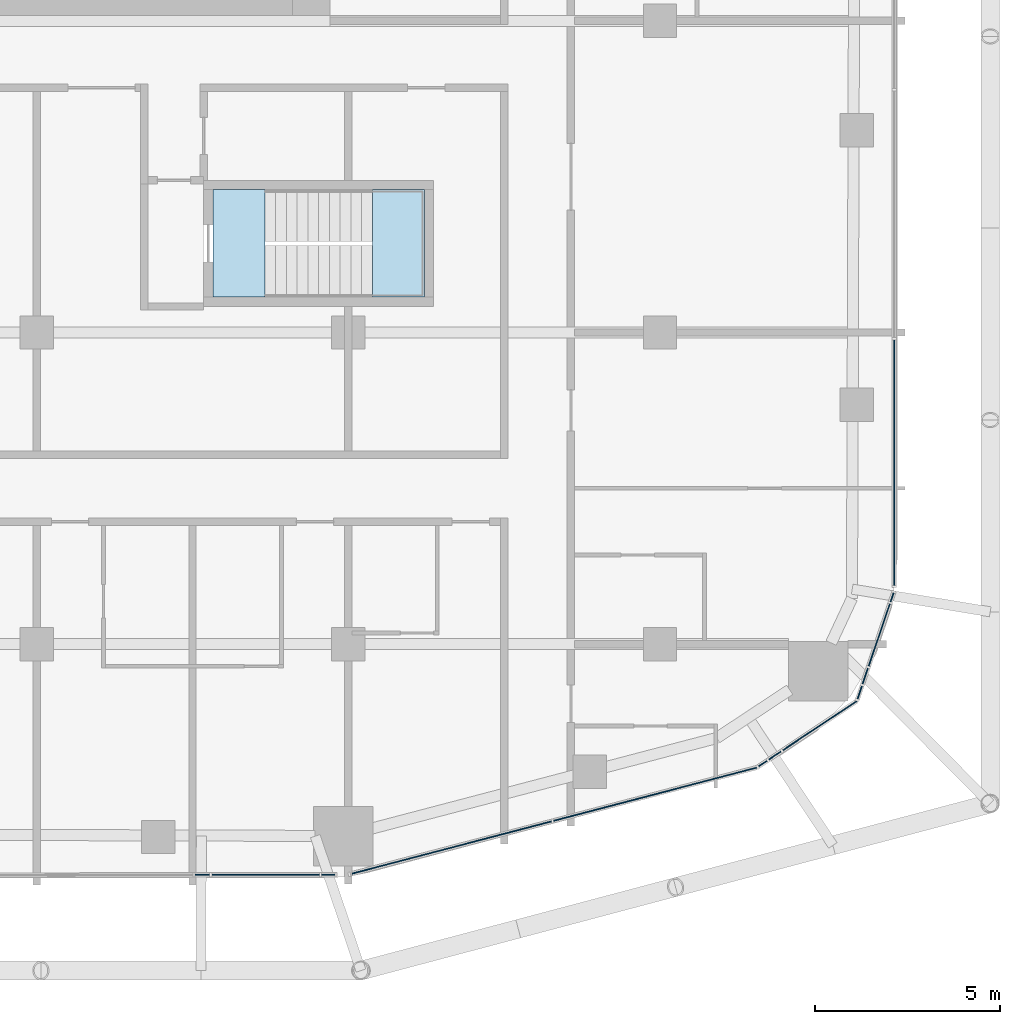
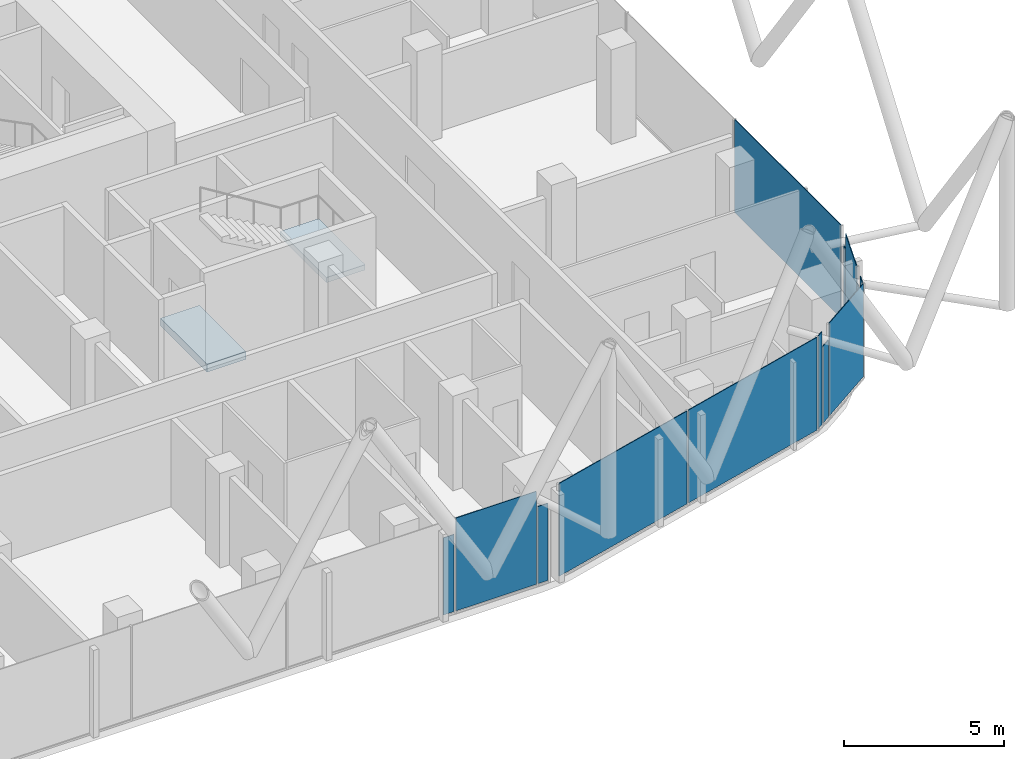
# One storey, part 22 of 36: 13 plates, 2 slabs, 13 elements without a shape of their own.
"""IFC4 building model written with IfcOpenShell, lengths in metres."""

from ifc_helpers import new_model, si_unit, direction, frame, origin, origin_2d, place, context, subcontext, project, spatial, polyline, rectangle, outline, extrude, material, layer, layer_set, type_object, element, aggregate, save


model = new_model("IFC4")

# Units and contexts
model_context = context("Model", 3, precision=1e-05, world=origin(), true_north=direction((0.0, 1.0)))
body_context = subcontext(model_context, "Body", "Model", "MODEL_VIEW")
ifc_project = project(units=[si_unit("LENGTHUNIT", "METRE"), si_unit("AREAUNIT", "SQUARE_METRE"), si_unit("VOLUMEUNIT", "CUBIC_METRE"), si_unit("PLANEANGLEUNIT", "RADIAN"), si_unit("MASSUNIT", "GRAM", prefix="KILO")], contexts=[model_context])

# Site, building, storey
site_placement = place(None, origin())
site = spatial("IfcSite", under=ifc_project, at=site_placement, CompositionType="ELEMENT")
building_placement = place(site_placement, origin())
building = spatial("IfcBuilding", under=site, at=building_placement, Name="Marenta Gate Hotel Tower", CompositionType="ELEMENT")
storey_placement = place(building_placement, frame((0.0, 0.0, 115.699951171875)))
storey = spatial("IfcBuildingStorey", under=building, at=storey_placement, Name="L25", CompositionType="ELEMENT", Elevation=115.699951171875)

# Curtain wall, plate
ifc_material_1 = material(Name="Tinted insulated glass in bronze anodised frame", Category="glass")
ifc_layer_1 = layer(ifc_material_1, 0.1201171875)
ifc_layer_set_1 = layer_set([ifc_layer_1], Name="Tinted insulated glass in bronze anodised frame")
curtain_wall_type = type_object("IfcCurtainWallType", Name="Tower unitised curtain wall CW1", PredefinedType="NOTDEFINED", material=ifc_layer_set_1)
curtain_wall_1_placement = place(storey_placement, origin())
curtain_wall_1 = element("IfcCurtainWall", 1, at=curtain_wall_1_placement, inside=storey, type_object=curtain_wall_type, Name="CW1 run G22", PredefinedType="NOTDEFINED")
ifc_material_2 = material(Name="Tinted insulated glass", Category="glass")
ifc_layer_2 = layer(ifc_material_2, 0.028076171875)
ifc_layer_set_2 = layer_set([ifc_layer_2], Name="Tinted insulated glass")
plate_type = type_object("IfcPlateType", Name="Glass panel CW1 28 mm tinted insulated unit", PredefinedType="CURTAIN_PANEL", material=ifc_layer_set_2)
plate_1_placement = place(storey_placement, frame((8.664306640625, -23.018798828125, 0.06005859375), z_axis=(0.0, 0.0, 1.0), x_axis=(0.999999122847, 0.001324502144, 0.0)))
plate_1 = element("IfcPlate", 2, at=plate_1_placement, type_object=plate_type, Name="CW1 panel 1.1", PredefinedType="CURTAIN_PANEL", context=body_context, shape_type="SweptSolid", body=[
    extrude(rectangle(XDim=0.39306640625, YDim=0.028076171875, at=origin_2d()), origin(), (0.0, 0.0, 1.0), 2.9404296875),
])
aggregate(curtain_wall_1, [plate_1])

curtain_wall_2_placement = place(storey_placement, origin())
curtain_wall_2 = element("IfcCurtainWall", 3, at=curtain_wall_2_placement, inside=storey, type_object=curtain_wall_type, Name="CW1 run G23", PredefinedType="NOTDEFINED")
plate_2_placement = place(storey_placement, frame((10.37109375, -23.016357421875, 0.06005859375), z_axis=(0.0, 0.0, 1.0), x_axis=(0.999999041285, 0.001384712772, 0.0)))
plate_2 = element("IfcPlate", 4, at=plate_2_placement, type_object=plate_type, Name="CW1 panel 1.1", PredefinedType="CURTAIN_PANEL", context=body_context, shape_type="SweptSolid", body=[
    extrude(rectangle(XDim=2.90087890625, YDim=0.028076171875, at=origin_2d()), origin(), (0.0, 0.0, 1.0), 3.5400390625),
])
aggregate(curtain_wall_2, [plate_2])

curtain_wall_3_placement = place(storey_placement, origin())
curtain_wall_3 = element("IfcCurtainWall", 5, at=curtain_wall_3_placement, inside=storey, type_object=curtain_wall_type, Name="CW1 run G24", PredefinedType="NOTDEFINED")
plate_3_placement = place(storey_placement, frame((12.060791015625, -23.013916015625, 0.06005859375), z_axis=(0.0, 0.0, 1.0), x_axis=(0.999999212858, 0.001254704164, 0.0)))
plate_3 = element("IfcPlate", 6, at=plate_3_placement, type_object=plate_type, Name="CW1 panel 1.1", PredefinedType="CURTAIN_PANEL", context=body_context, shape_type="SweptSolid", body=[
    extrude(rectangle(XDim=0.358154296875, YDim=0.028076171875, at=origin_2d()), origin(), (0.0, 0.0, 1.0), 2.9404296875),
])
aggregate(curtain_wall_3, [plate_3])

# Curtain wall, plates
curtain_wall_4_placement = place(storey_placement, origin())
curtain_wall_4 = element("IfcCurtainWall", 7, at=curtain_wall_4_placement, inside=storey, type_object=curtain_wall_type, Name="CW1 run G25", PredefinedType="NOTDEFINED")
plate_4_placement = place(storey_placement, frame((15.36474609375, -22.28857421875, 0.06005859375), z_axis=(0.0, 0.0, 1.0), x_axis=(0.967368326473, 0.253374270473, 0.0)))
plate_4 = element("IfcPlate", 8, at=plate_4_placement, type_object=plate_type, Name="CW1 panel 1.1", PredefinedType="CURTAIN_PANEL", context=body_context, shape_type="SweptSolid", body=[
    extrude(rectangle(XDim=5.6005859375, YDim=0.028076171875, at=origin_2d()), origin(), (0.0, 0.0, 1.0), 3.5400390625),
])
plate_5_placement = place(storey_placement, frame((20.86962890625, -20.8466796875, 0.06005859375), z_axis=(0.0, 0.0, 1.0), x_axis=(0.967368326473, 0.253374270473, 0.0)))
plate_5 = element("IfcPlate", 9, at=plate_5_placement, type_object=plate_type, Name="CW1 panel 2.1", PredefinedType="CURTAIN_PANEL", context=body_context, shape_type="SweptSolid", body=[
    extrude(rectangle(XDim=5.66064453125, YDim=0.028076171875, at=origin_2d()), origin(), (0.0, 0.0, 1.0), 3.5400390625),
])
aggregate(curtain_wall_4, [plate_4, plate_5])

# Curtain wall, plate
curtain_wall_5_placement = place(storey_placement, origin())
curtain_wall_5 = element("IfcCurtainWall", 10, at=curtain_wall_5_placement, inside=storey, type_object=curtain_wall_type, Name="CW1 run G26", PredefinedType="NOTDEFINED")
plate_6_placement = place(storey_placement, frame((23.7705078125, -20.021240234375, 0.06005859375), z_axis=(0.0, 0.0, 1.0), x_axis=(0.832606802594, 0.553864525199, 0.0)))
plate_6 = element("IfcPlate", 11, at=plate_6_placement, type_object=plate_type, Name="CW1 panel 1.1", PredefinedType="CURTAIN_PANEL", context=body_context, shape_type="SweptSolid", body=[
    extrude(rectangle(XDim=0.271484375, YDim=0.028076171875, at=origin_2d()), origin(), (0.0, 0.0, 1.0), 3.5400390625),
])
aggregate(curtain_wall_5, [plate_6])

curtain_wall_6_placement = place(storey_placement, origin())
curtain_wall_6 = element("IfcCurtainWall", 12, at=curtain_wall_6_placement, inside=storey, type_object=curtain_wall_type, Name="CW1 run G27", PredefinedType="NOTDEFINED")
plate_7_placement = place(storey_placement, frame((24.09716796875, -19.803955078125, 0.06005859375), z_axis=(0.0, 0.0, 1.0), x_axis=(0.832457612814, 0.554088731944, 0.0)))
plate_7 = element("IfcPlate", 13, at=plate_7_placement, type_object=plate_type, Name="CW1 panel 1.1", PredefinedType="CURTAIN_PANEL", context=body_context, shape_type="SweptSolid", body=[
    extrude(rectangle(XDim=0.39306640625, YDim=0.028076171875, at=origin_2d()), origin(), (0.0, 0.0, 1.0), 2.9404296875),
])
aggregate(curtain_wall_6, [plate_7])

curtain_wall_7_placement = place(storey_placement, origin())
curtain_wall_7 = element("IfcCurtainWall", 14, at=curtain_wall_7_placement, inside=storey, type_object=curtain_wall_type, Name="CW1 run G28", PredefinedType="NOTDEFINED")
plate_8_placement = place(storey_placement, frame((25.307861328125, -18.998291015625, 0.06005859375), z_axis=(0.0, 0.0, 1.0), x_axis=(0.832501127249, 0.554023350707, 0.0)))
plate_8 = element("IfcPlate", 15, at=plate_8_placement, type_object=plate_type, Name="CW1 panel 1.1", PredefinedType="CURTAIN_PANEL", context=body_context, shape_type="SweptSolid", body=[
    extrude(rectangle(XDim=2.3955078125, YDim=0.028076171875, at=origin_2d()), origin(), (0.0, 0.0, 1.0), 3.5400390625),
])
aggregate(curtain_wall_7, [plate_8])

curtain_wall_8_placement = place(storey_placement, origin())
curtain_wall_8 = element("IfcCurtainWall", 16, at=curtain_wall_8_placement, inside=storey, type_object=curtain_wall_type, Name="CW1 run G29", PredefinedType="NOTDEFINED")
plate_9_placement = place(storey_placement, frame((26.383544921875, -18.103515625, 0.06005859375), z_axis=(0.0, 0.0, 1.0), x_axis=(0.322036701561, 0.946727185016, 0.0)))
plate_9 = element("IfcPlate", 17, at=plate_9_placement, type_object=plate_type, Name="CW1 panel 1.1", PredefinedType="CURTAIN_PANEL", context=body_context, shape_type="SweptSolid", body=[
    extrude(rectangle(XDim=0.3681640625, YDim=0.028076171875, at=origin_2d()), origin(), (0.0, 0.0, 1.0), 3.5400390625),
])
aggregate(curtain_wall_8, [plate_9])

curtain_wall_9_placement = place(storey_placement, origin())
curtain_wall_9 = element("IfcCurtainWall", 18, at=curtain_wall_9_placement, inside=storey, type_object=curtain_wall_type, Name="CW1 run G30", PredefinedType="NOTDEFINED")
plate_10_placement = place(storey_placement, frame((26.533935546875, -17.6611328125, 0.06005859375), z_axis=(0.0, 0.0, 1.0), x_axis=(0.322030237029, 0.946729383953, 0.0)))
plate_10 = element("IfcPlate", 19, at=plate_10_placement, type_object=plate_type, Name="CW1 panel 1.1", PredefinedType="CURTAIN_PANEL", context=body_context, shape_type="SweptSolid", body=[
    extrude(rectangle(XDim=0.4462890625, YDim=0.028076171875, at=origin_2d()), origin(), (0.0, 0.0, 1.0), 2.9404296875),
])
aggregate(curtain_wall_9, [plate_10])

curtain_wall_10_placement = place(storey_placement, origin())
curtain_wall_10 = element("IfcCurtainWall", 20, at=curtain_wall_10_placement, inside=storey, type_object=curtain_wall_type, Name="CW1 run G31", PredefinedType="NOTDEFINED")
plate_11_placement = place(storey_placement, frame((26.91064453125, -16.553955078125, 0.06005859375), z_axis=(0.0, 0.0, 1.0), x_axis=(0.322031828824, 0.946728842502, 0.0)))
plate_11 = element("IfcPlate", 21, at=plate_11_placement, type_object=plate_type, Name="CW1 panel 1.1", PredefinedType="CURTAIN_PANEL", context=body_context, shape_type="SweptSolid", body=[
    extrude(rectangle(XDim=1.77294921875, YDim=0.028076171875, at=origin_2d()), origin(), (0.0, 0.0, 1.0), 3.5400390625),
])
aggregate(curtain_wall_10, [plate_11])

curtain_wall_11_placement = place(storey_placement, origin())
curtain_wall_11 = element("IfcCurtainWall", 22, at=curtain_wall_11_placement, inside=storey, type_object=curtain_wall_type, Name="CW1 run G32", PredefinedType="NOTDEFINED")
plate_12_placement = place(storey_placement, frame((27.255126953125, -15.541259765625, 0.06005859375), z_axis=(0.0, 0.0, 1.0), x_axis=(0.322039841818, 0.946726116827, 0.0)))
plate_12 = element("IfcPlate", 23, at=plate_12_placement, type_object=plate_type, Name="CW1 panel 1.1", PredefinedType="CURTAIN_PANEL", context=body_context, shape_type="SweptSolid", body=[
    extrude(rectangle(XDim=0.24609375, YDim=0.028076171875, at=origin_2d()), origin(), (0.0, 0.0, 1.0), 2.9404296875),
])
aggregate(curtain_wall_11, [plate_12])

curtain_wall_12_placement = place(storey_placement, origin())
curtain_wall_12 = element("IfcCurtainWall", 24, at=curtain_wall_12_placement, inside=storey, type_object=curtain_wall_type, Name="CW1 run G33", PredefinedType="NOTDEFINED")
plate_13_placement = place(storey_placement, frame((27.31396484375, -11.90625, 0.06005859375), z_axis=(0.0, 0.0, 1.0), x_axis=(0.0, 1.0, 0.0)))
plate_13 = element("IfcPlate", 25, at=plate_13_placement, type_object=plate_type, Name="CW1 panel 1.1", PredefinedType="CURTAIN_PANEL", context=body_context, shape_type="SweptSolid", body=[
    extrude(rectangle(XDim=6.617431640625, YDim=0.028076171875, at=origin_2d()), origin(), (0.0, 0.0, 1.0), 3.5400390625),
])
aggregate(curtain_wall_12, [plate_13])

# Stair, slab
ifc_material_3 = material(Name="Concrete C40", Category="concrete")
stair_type = type_object("IfcStairType", Name="Remote exit stair 1400 wide", PredefinedType="HALF_TURN_STAIR", material=ifc_material_3)
stair_placement = place(storey_placement, origin())
stair = element("IfcStair", 26, at=stair_placement, inside=storey, type_object=stair_type, Name="Exit stair RS-Z2-2", PredefinedType="HALF_TURN_STAIR")
ifc_material_4 = material(Name="Concrete C40", Category="concrete")
ifc_layer_3 = layer(ifc_material_4, 0.199951171875)
ifc_layer_set_3 = layer_set([ifc_layer_3], Name="Concrete C40")
slab_type_1 = type_object("IfcSlabType", Name="Remote stair landing 200", PredefinedType="LANDING", material=ifc_layer_set_3)
slab_1_placement = place(storey_placement, frame((0.0, 0.0, 1.60009765625)))
slab_1 = element("IfcSlab", 27, at=slab_1_placement, type_object=slab_type_1, Name="RL-200 RS-Z2-2 landing 1", PredefinedType="LANDING", context=body_context, shape_type="SweptSolid", body=[
    extrude(outline(polyline([(13.25, -7.449951171875), (14.64990234375, -7.449951171875), (14.64990234375, -4.550048828125), (13.25, -4.550048828125), (13.25, -7.449951171875)])), origin(), (0.0, 0.0, 1.0), 0.199951171875),
])
aggregate(stair, [slab_1])

# Slab
ifc_material_5 = material(Name="Concrete C40", Category="concrete")
ifc_layer_4 = layer(ifc_material_5, 0.300048828125)
ifc_layer_set_4 = layer_set([ifc_layer_4], Name="Concrete C40")
slab_type_2 = type_object("IfcSlabType", Name="Stair floor landing slab 300", PredefinedType="FLOOR", material=ifc_layer_set_4)
slab_2_placement = place(storey_placement, frame((0.0, 0.0, -0.300048828125)))
element("IfcSlab", 28, at=slab_2_placement, inside=storey, type_object=slab_type_2, Name="L25-RS-Z2-2-CL", PredefinedType="FLOOR", context=body_context, shape_type="SweptSolid", body=[
    extrude(outline(polyline([(10.35009765625, -7.449951171875), (10.35009765625, -4.550048828125), (8.949951171875, -4.550048828125), (8.949951171875, -7.449951171875), (10.35009765625, -7.449951171875)])), origin(), (0.0, 0.0, 1.0), 0.300048828125),
])

save(model, "model.ifc")
